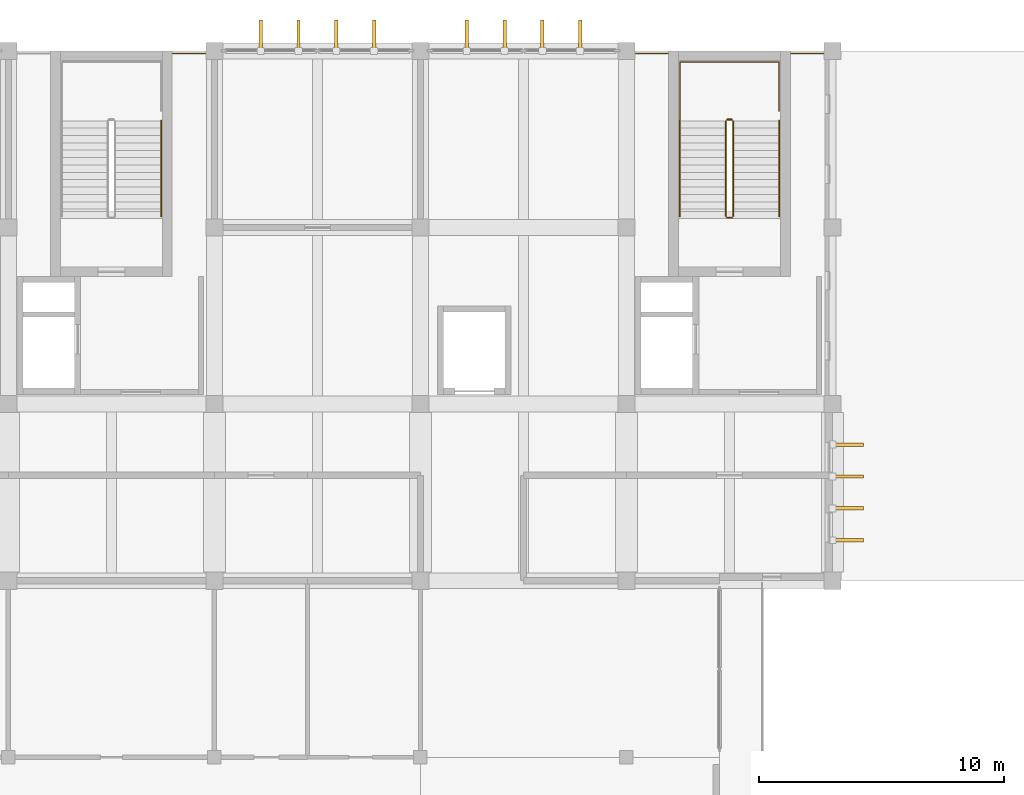
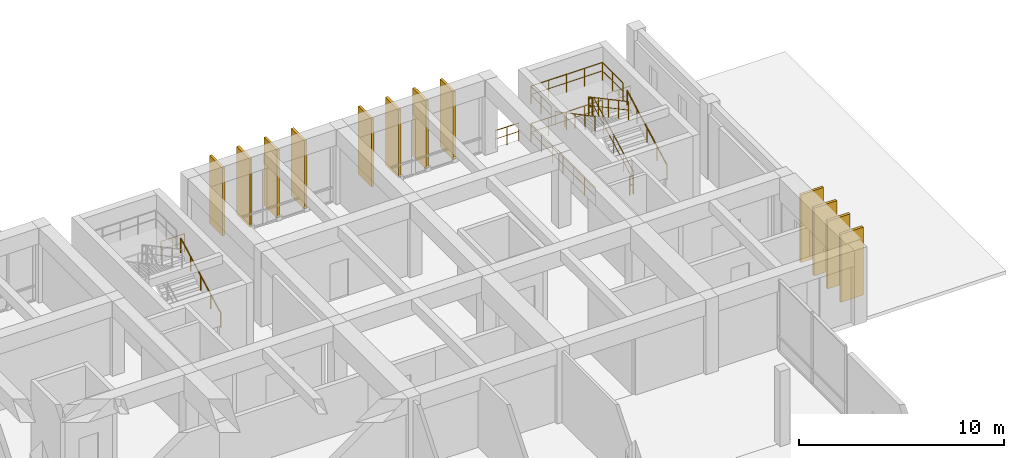
# One storey, part 17 of 17: 12 railings, 12 shading devices.
"""IFC4 building model written with IfcOpenShell, lengths in metres."""

from ifc_helpers import new_model, si_unit, direction, frame, origin, origin_2d, place, context, subcontext, project, spatial, rectangle, circle, extrude, material, type_object, element, save


model = new_model("IFC4")

# Units and contexts
model_context = context("Model", 3, precision=1e-05, world=origin(), true_north=direction((0.0, 1.0)))
body_context = subcontext(model_context, "Body", "Model", "MODEL_VIEW")
ifc_project = project(units=[si_unit("LENGTHUNIT", "METRE"), si_unit("AREAUNIT", "SQUARE_METRE"), si_unit("VOLUMEUNIT", "CUBIC_METRE"), si_unit("PLANEANGLEUNIT", "RADIAN"), si_unit("MASSUNIT", "GRAM", prefix="KILO")], contexts=[model_context])

# Site, building, storey
site_placement = place(None, origin())
site = spatial("IfcSite", under=ifc_project, at=site_placement, CompositionType="ELEMENT")
building_placement = place(site_placement, origin())
building = spatial("IfcBuilding", under=site, at=building_placement, Name="Kenerak Square Central Library", CompositionType="ELEMENT")
storey_placement = place(building_placement, frame((0.0, 0.0, 23.360107421875)))
storey = spatial("IfcBuildingStorey", under=building, at=storey_placement, Name="L05", CompositionType="ELEMENT", Elevation=23.360107421875)

# Shading devices
ifc_material_1 = material(Name="White precast concrete C40/50", Category="concrete")
shading_device_type = type_object("IfcShadingDeviceType", Name="Precast Vertical Solar Fin SF-1280 C40/50", PredefinedType="USERDEFINED", material=ifc_material_1)
for number, where, z_axis, x_axis, name in (
    (1, (93.889892578125, 111.02001953125, 0.10009765625), (0.0, 0.0, 1.0), (1.0, 0.0, 0.0), "Precast Solar Fin FIN-01 L05 0423"),
    (2, (95.429931640625, 111.02001953125, 0.10009765625), (0.0, 0.0, 1.0), (1.0, 0.0, 0.0), "Precast Solar Fin FIN-01 L05 0424"),
    (3, (96.969970703125, 111.02001953125, 0.10009765625), (0.0, 0.0, 1.0), (1.0, 0.0, 0.0), "Precast Solar Fin FIN-01 L05 0425"),
    (4, (98.510009765625, 111.02001953125, 0.10009765625), (0.0, 0.0, 1.0), (1.0, 0.0, 0.0), "Precast Solar Fin FIN-01 L05 0426"),
    (5, (102.2900390625, 111.02001953125, 0.10009765625), (0.0, 0.0, 1.0), (1.0, 0.0, 0.0), "Precast Solar Fin FIN-01 L05 0427"),
    (6, (103.830078125, 111.02001953125, 0.10009765625), (0.0, 0.0, 1.0), (1.0, 0.0, 0.0), "Precast Solar Fin FIN-01 L05 0428"),
    (7, (105.3701171875, 111.02001953125, 0.10009765625), (0.0, 0.0, 1.0), (1.0, 0.0, 0.0), "Precast Solar Fin FIN-01 L05 0429"),
    (8, (106.909912109375, 111.02001953125, 0.10009765625), (0.0, 0.0, 1.0), (1.0, 0.0, 0.0), "Precast Solar Fin FIN-01 L05 0430"),
    (9, (117.820068359375, 94.35009765625, 0.10009765625), (0.0, 0.0, 1.0), (0.0, -1.0, 0.0), "Precast Solar Fin FIN-01 L05 0431"),
    (10, (117.820068359375, 93.050048828125, 0.10009765625), (0.0, 0.0, 1.0), (0.0, -1.0, 0.0), "Precast Solar Fin FIN-01 L05 0432"),
    (11, (117.820068359375, 91.75, 0.10009765625), (0.0, 0.0, 1.0), (0.0, -1.0, 0.0), "Precast Solar Fin FIN-01 L05 0433"),
    (12, (117.820068359375, 90.449951171875, 0.10009765625), (0.0, 0.0, 1.0), (0.0, -1.0, 0.0), "Precast Solar Fin FIN-01 L05 0434"),
):
    element("IfcShadingDevice", number, at=place(storey_placement, frame(where, z_axis=z_axis, x_axis=x_axis)), inside=storey, type_object=shading_device_type, Name=name, ObjectType="FIN", PredefinedType="USERDEFINED", context=body_context, shape_type="SweptSolid", body=[
        extrude(rectangle(XDim=0.139892578125, YDim=1.280029296875, at=origin_2d()), origin(), (0.0, 0.0, 1.0), 4.054931640625),
    ])

# Railings
ifc_material_2 = material(Name="Steel S355", Category="steel")
railing_type_1 = type_object("IfcRailingType", Name="Safety Guardrail GR-1100 S355", PredefinedType="GUARDRAIL", material=ifc_material_2)
railing_1_placement = place(storey_placement, frame((113.14990234375, 103.64990234375, 0.159912109375)))
element("IfcRailing", 13, at=railing_1_placement, inside=storey, type_object=railing_type_1, Name="L05 ST-03 stair guard 1", PredefinedType="GUARDRAIL", context=body_context, shape_type="SweptSolid", body=[
    extrude(circle(Radius=0.02392578125, at=origin_2d()), frame((0.0, 0.0, 1.076171875), z_axis=(0.0, 0.882352941176, 0.470588235294), x_axis=(-1.0, 0.0, 0.0)), (0.0, 0.0, 1.0), 4.420166015625),
    extrude(circle(Radius=0.01806640625, at=origin_2d()), frame((0.0, 0.0, 0.572021484375), z_axis=(0.0, 0.882352941176, 0.470588235294), x_axis=(-1.0, 0.0, 0.0)), (0.0, 0.0, 1.0), 4.420166015625),
    extrude(circle(Radius=0.02099609375, at=origin_2d()), origin(), (0.0, 0.0, 1.0), 1.052001953125),
    extrude(circle(Radius=0.02099609375, at=origin_2d()), frame((0.0, 0.97509765625, 0.52001953125)), (0.0, 0.0, 1.0), 1.052001953125),
    extrude(circle(Radius=0.02099609375, at=origin_2d()), frame((0.0, 1.9501953125, 1.0400390625)), (0.0, 0.0, 1.0), 1.052001953125),
    extrude(circle(Radius=0.02099609375, at=origin_2d()), frame((0.0, 2.925048828125, 1.56005859375)), (0.0, 0.0, 1.0), 1.052001953125),
    extrude(circle(Radius=0.02099609375, at=origin_2d()), frame((0.0, 3.900146484375, 2.080078125)), (0.0, 0.0, 1.0), 1.052001953125),
])
railing_2_placement = place(storey_placement, frame((113.10009765625, 107.60009765625, 2.239990234375)))
element("IfcRailing", 14, at=railing_2_placement, inside=storey, type_object=railing_type_1, Name="L05 ST-03 stair guard 2", PredefinedType="GUARDRAIL", context=body_context, shape_type="SweptSolid", body=[
    extrude(circle(Radius=0.02392578125, at=origin_2d()), frame((0.0, 0.0, 1.076171875), z_axis=(-1.0, 0.0, 0.0), x_axis=(0.0, -1.0, 0.0)), (0.0, 0.0, 1.0), 0.2001953125),
    extrude(circle(Radius=0.01806640625, at=origin_2d()), frame((0.0, 0.0, 0.572021484375), z_axis=(-1.0, 0.0, 0.0), x_axis=(0.0, -1.0, 0.0)), (0.0, 0.0, 1.0), 0.2001953125),
    extrude(circle(Radius=0.02099609375, at=origin_2d()), origin(), (0.0, 0.0, 1.0), 1.052001953125),
    extrude(circle(Radius=0.02099609375, at=origin_2d()), frame((-0.2001953125, 0.0, 0.0)), (0.0, 0.0, 1.0), 1.052001953125),
])
railing_3_placement = place(storey_placement, frame((112.85009765625, 107.550048828125, 2.39990234375)))
element("IfcRailing", 15, at=railing_3_placement, inside=storey, type_object=railing_type_1, Name="L05 ST-03 stair guard 3", PredefinedType="GUARDRAIL", context=body_context, shape_type="SweptSolid", body=[
    extrude(circle(Radius=0.02392578125, at=origin_2d()), frame((0.0, 0.0, 1.076171875), z_axis=(0.0, -0.882352941176, 0.470588235294), x_axis=(1.0, 0.0, 0.0)), (0.0, 0.0, 1.0), 4.420166015625),
    extrude(circle(Radius=0.01806640625, at=origin_2d()), frame((0.0, 0.0, 0.572021484375), z_axis=(0.0, -0.882352941176, 0.470588235294), x_axis=(1.0, 0.0, 0.0)), (0.0, 0.0, 1.0), 4.420166015625),
    extrude(circle(Radius=0.02099609375, at=origin_2d()), origin(), (0.0, 0.0, 1.0), 1.052001953125),
    extrude(circle(Radius=0.02099609375, at=origin_2d()), frame((0.0, -0.97509765625, 0.52001953125)), (0.0, 0.0, 1.0), 1.052001953125),
    extrude(circle(Radius=0.02099609375, at=origin_2d()), frame((0.0, -1.9501953125, 1.0400390625)), (0.0, 0.0, 1.0), 1.052001953125),
    extrude(circle(Radius=0.02099609375, at=origin_2d()), frame((0.0, -2.925048828125, 1.56005859375)), (0.0, 0.0, 1.0), 1.052001953125),
    extrude(circle(Radius=0.02099609375, at=origin_2d()), frame((0.0, -3.900146484375, 2.080078125)), (0.0, 0.0, 1.0), 1.052001953125),
])
railing_4_placement = place(storey_placement, frame((113.10009765625, 103.60009765625, 0.0)))
element("IfcRailing", 16, at=railing_4_placement, inside=storey, type_object=railing_type_1, Name="L05 ST-03 stair guard 4", PredefinedType="GUARDRAIL", context=body_context, shape_type="SweptSolid", body=[
    extrude(circle(Radius=0.02392578125, at=origin_2d()), frame((0.0, 0.0, 1.076171875), z_axis=(-1.0, 0.0, 0.0), x_axis=(0.0, -1.0, 0.0)), (0.0, 0.0, 1.0), 0.2001953125),
    extrude(circle(Radius=0.01806640625, at=origin_2d()), frame((0.0, 0.0, 0.572021484375), z_axis=(-1.0, 0.0, 0.0), x_axis=(0.0, -1.0, 0.0)), (0.0, 0.0, 1.0), 0.2001953125),
    extrude(circle(Radius=0.02099609375, at=origin_2d()), origin(), (0.0, 0.0, 1.0), 1.052001953125),
    extrude(circle(Radius=0.02099609375, at=origin_2d()), frame((-0.2001953125, 0.0, 0.0)), (0.0, 0.0, 1.0), 1.052001953125),
])
railing_5_placement = place(storey_placement, frame((110.97998046875, 107.949951171875, 2.239990234375)))
element("IfcRailing", 17, at=railing_5_placement, inside=storey, type_object=railing_type_1, Name="Stair Half-Landing Guard ST-03 L05", PredefinedType="GUARDRAIL", context=body_context, shape_type="SweptSolid", body=[
    extrude(circle(Radius=0.02392578125, at=origin_2d()), frame((0.0, 0.0, 1.076171875), z_axis=(0.0, 1.0, 0.0), x_axis=(-1.0, 0.0, 0.0)), (0.0, 0.0, 1.0), 2.0),
    extrude(circle(Radius=0.01806640625, at=origin_2d()), frame((0.0, 0.0, 0.572021484375), z_axis=(0.0, 1.0, 0.0), x_axis=(-1.0, 0.0, 0.0)), (0.0, 0.0, 1.0), 2.0),
    extrude(circle(Radius=0.02392578125, at=origin_2d()), frame((0.0, 2.0, 1.076171875), z_axis=(1.0, 0.0, 0.0), x_axis=(0.0, 1.0, 0.0)), (0.0, 0.0, 1.0), 4.0400390625),
    extrude(circle(Radius=0.01806640625, at=origin_2d()), frame((0.0, 2.0, 0.572021484375), z_axis=(1.0, 0.0, 0.0), x_axis=(0.0, 1.0, 0.0)), (0.0, 0.0, 1.0), 4.0400390625),
    extrude(circle(Radius=0.02392578125, at=origin_2d()), frame((4.0400390625, 2.0, 1.076171875), z_axis=(0.0, -1.0, 0.0), x_axis=(1.0, 0.0, 0.0)), (0.0, 0.0, 1.0), 2.0),
    extrude(circle(Radius=0.01806640625, at=origin_2d()), frame((4.0400390625, 2.0, 0.572021484375), z_axis=(0.0, -1.0, 0.0), x_axis=(1.0, 0.0, 0.0)), (0.0, 0.0, 1.0), 2.0),
    extrude(circle(Radius=0.02099609375, at=origin_2d()), origin(), (0.0, 0.0, 1.0), 1.052001953125),
    extrude(circle(Radius=0.02099609375, at=origin_2d()), frame((0.0, 1.0, 0.0)), (0.0, 0.0, 1.0), 1.052001953125),
    extrude(circle(Radius=0.02099609375, at=origin_2d()), frame((0.0, 2.0, 0.0)), (0.0, 0.0, 1.0), 1.052001953125),
    extrude(circle(Radius=0.02099609375, at=origin_2d()), frame((1.010009765625, 2.0, 0.0)), (0.0, 0.0, 1.0), 1.052001953125),
    extrude(circle(Radius=0.02099609375, at=origin_2d()), frame((2.02001953125, 2.0, 0.0)), (0.0, 0.0, 1.0), 1.052001953125),
    extrude(circle(Radius=0.02099609375, at=origin_2d()), frame((3.030029296875, 2.0, 0.0)), (0.0, 0.0, 1.0), 1.052001953125),
    extrude(circle(Radius=0.02099609375, at=origin_2d()), frame((4.0400390625, 2.0, 0.0)), (0.0, 0.0, 1.0), 1.052001953125),
    extrude(circle(Radius=0.02099609375, at=origin_2d()), frame((4.0400390625, 1.0, 0.0)), (0.0, 0.0, 1.0), 1.052001953125),
    extrude(circle(Radius=0.02099609375, at=origin_2d()), frame((4.0400390625, 0.0, 0.0)), (0.0, 0.0, 1.0), 1.052001953125),
])
railing_6_placement = place(storey_placement, frame((110.97998046875, 103.64990234375, 0.0)))
element("IfcRailing", 18, at=railing_6_placement, inside=storey, type_object=railing_type_1, Name="Stair Well Floor Guard ST-03 L05", PredefinedType="GUARDRAIL", context=body_context, shape_type="SweptSolid", body=[
    extrude(circle(Radius=0.02392578125, at=origin_2d()), frame((0.0, 0.0, 1.076171875), z_axis=(0.0, 1.0, 0.0), x_axis=(-1.0, 0.0, 0.0)), (0.0, 0.0, 1.0), 6.300048828125),
    extrude(circle(Radius=0.01806640625, at=origin_2d()), frame((0.0, 0.0, 0.572021484375), z_axis=(0.0, 1.0, 0.0), x_axis=(-1.0, 0.0, 0.0)), (0.0, 0.0, 1.0), 6.300048828125),
    extrude(circle(Radius=0.02392578125, at=origin_2d()), frame((0.0, 6.300048828125, 1.076171875), z_axis=(1.0, 0.0, 0.0), x_axis=(0.0, 1.0, 0.0)), (0.0, 0.0, 1.0), 4.0400390625),
    extrude(circle(Radius=0.01806640625, at=origin_2d()), frame((0.0, 6.300048828125, 0.572021484375), z_axis=(1.0, 0.0, 0.0), x_axis=(0.0, 1.0, 0.0)), (0.0, 0.0, 1.0), 4.0400390625),
    extrude(circle(Radius=0.02099609375, at=origin_2d()), origin(), (0.0, 0.0, 1.0), 1.052001953125),
    extrude(circle(Radius=0.02099609375, at=origin_2d()), frame((0.0, 1.050048828125, 0.0)), (0.0, 0.0, 1.0), 1.052001953125),
    extrude(circle(Radius=0.02099609375, at=origin_2d()), frame((0.0, 2.10009765625, 0.0)), (0.0, 0.0, 1.0), 1.052001953125),
    extrude(circle(Radius=0.02099609375, at=origin_2d()), frame((0.0, 3.14990234375, 0.0)), (0.0, 0.0, 1.0), 1.052001953125),
    extrude(circle(Radius=0.02099609375, at=origin_2d()), frame((0.0, 4.199951171875, 0.0)), (0.0, 0.0, 1.0), 1.052001953125),
    extrude(circle(Radius=0.02099609375, at=origin_2d()), frame((0.0, 5.25, 0.0)), (0.0, 0.0, 1.0), 1.052001953125),
    extrude(circle(Radius=0.02099609375, at=origin_2d()), frame((0.0, 6.300048828125, 0.0)), (0.0, 0.0, 1.0), 1.052001953125),
    extrude(circle(Radius=0.02099609375, at=origin_2d()), frame((1.010009765625, 6.300048828125, 0.0)), (0.0, 0.0, 1.0), 1.052001953125),
    extrude(circle(Radius=0.02099609375, at=origin_2d()), frame((2.02001953125, 6.300048828125, 0.0)), (0.0, 0.0, 1.0), 1.052001953125),
    extrude(circle(Radius=0.02099609375, at=origin_2d()), frame((3.030029296875, 6.300048828125, 0.0)), (0.0, 0.0, 1.0), 1.052001953125),
    extrude(circle(Radius=0.02099609375, at=origin_2d()), frame((4.0400390625, 6.300048828125, 0.0)), (0.0, 0.0, 1.0), 1.052001953125),
])
for number, where, name in (
    (19, (90.302001953125, 110.300048828125, 0.0), "Perimeter Edge Guardrail L05 90-2"),
    (20, (109.172119140625, 110.300048828125, 0.0), "Perimeter Edge Guardrail L05 109-1"),
    (21, (115.501953125, 110.300048828125, 0.0), "Perimeter Edge Guardrail L05 115-2"),
):
    element("IfcRailing", number, at=place(storey_placement, frame(where)), inside=storey, type_object=railing_type_1, Name=name, PredefinedType="GUARDRAIL", context=body_context, shape_type="SweptSolid", body=[
        extrude(circle(Radius=0.02392578125, at=origin_2d()), frame((0.0, 0.0, 1.076171875), z_axis=(1.0, 0.0, 0.0), x_axis=(0.0, 1.0, 0.0)), (0.0, 0.0, 1.0), 1.325927734375),
        extrude(circle(Radius=0.01806640625, at=origin_2d()), frame((0.0, 0.0, 0.572021484375), z_axis=(1.0, 0.0, 0.0), x_axis=(0.0, 1.0, 0.0)), (0.0, 0.0, 1.0), 1.325927734375),
        extrude(circle(Radius=0.02099609375, at=origin_2d()), origin(), (0.0, 0.0, 1.0), 1.052001953125),
        extrude(circle(Radius=0.02099609375, at=origin_2d()), frame((0.6630859375, 0.0, 0.0)), (0.0, 0.0, 1.0), 1.052001953125),
        extrude(circle(Radius=0.02099609375, at=origin_2d()), frame((1.325927734375, 0.0, 0.0)), (0.0, 0.0, 1.0), 1.052001953125),
    ])
railing_type_2 = type_object("IfcRailingType", Name="Stair Handrail HR-880 S355", PredefinedType="HANDRAIL", material=ifc_material_2)
for number, where, name in (
    (22, (89.830078125, 103.64990234375, 0.159912109375), "L05 ST-02 stair handrail 1"),
    (23, (115.030029296875, 103.64990234375, 0.159912109375), "L05 ST-03 stair handrail 1"),
):
    element("IfcRailing", number, at=place(storey_placement, frame(where)), inside=storey, type_object=railing_type_2, Name=name, PredefinedType="HANDRAIL", context=body_context, shape_type="SweptSolid", body=[
        extrude(circle(Radius=0.02392578125, at=origin_2d()), frame((0.0, 0.0, 0.85595703125), z_axis=(0.0, 0.882352941176, 0.470588235294), x_axis=(-1.0, 0.0, 0.0)), (0.0, 0.0, 1.0), 4.420166015625),
        extrude(circle(Radius=0.02099609375, at=origin_2d()), origin(), (0.0, 0.0, 1.0), 0.831787109375),
        extrude(circle(Radius=0.02099609375, at=origin_2d()), frame((0.0, 0.97509765625, 0.52001953125)), (0.0, 0.0, 1.0), 0.831787109375),
        extrude(circle(Radius=0.02099609375, at=origin_2d()), frame((0.0, 1.9501953125, 1.0400390625)), (0.0, 0.0, 1.0), 0.831787109375),
        extrude(circle(Radius=0.02099609375, at=origin_2d()), frame((0.0, 2.925048828125, 1.56005859375)), (0.0, 0.0, 1.0), 0.831787109375),
        extrude(circle(Radius=0.02099609375, at=origin_2d()), frame((0.0, 3.900146484375, 2.080078125)), (0.0, 0.0, 1.0), 0.831787109375),
    ])
railing_7_placement = place(storey_placement, frame((110.969970703125, 107.550048828125, 2.39990234375)))
element("IfcRailing", 24, at=railing_7_placement, inside=storey, type_object=railing_type_2, Name="L05 ST-03 stair handrail 2", PredefinedType="HANDRAIL", context=body_context, shape_type="SweptSolid", body=[
    extrude(circle(Radius=0.02392578125, at=origin_2d()), frame((0.0, 0.0, 0.85595703125), z_axis=(0.0, -0.882352941176, 0.470588235294), x_axis=(1.0, 0.0, 0.0)), (0.0, 0.0, 1.0), 4.420166015625),
    extrude(circle(Radius=0.02099609375, at=origin_2d()), origin(), (0.0, 0.0, 1.0), 0.831787109375),
    extrude(circle(Radius=0.02099609375, at=origin_2d()), frame((0.0, -0.97509765625, 0.52001953125)), (0.0, 0.0, 1.0), 0.831787109375),
    extrude(circle(Radius=0.02099609375, at=origin_2d()), frame((0.0, -1.9501953125, 1.0400390625)), (0.0, 0.0, 1.0), 0.831787109375),
    extrude(circle(Radius=0.02099609375, at=origin_2d()), frame((0.0, -2.925048828125, 1.56005859375)), (0.0, 0.0, 1.0), 0.831787109375),
    extrude(circle(Radius=0.02099609375, at=origin_2d()), frame((0.0, -3.900146484375, 2.080078125)), (0.0, 0.0, 1.0), 0.831787109375),
])

save(model, "model.ifc")
